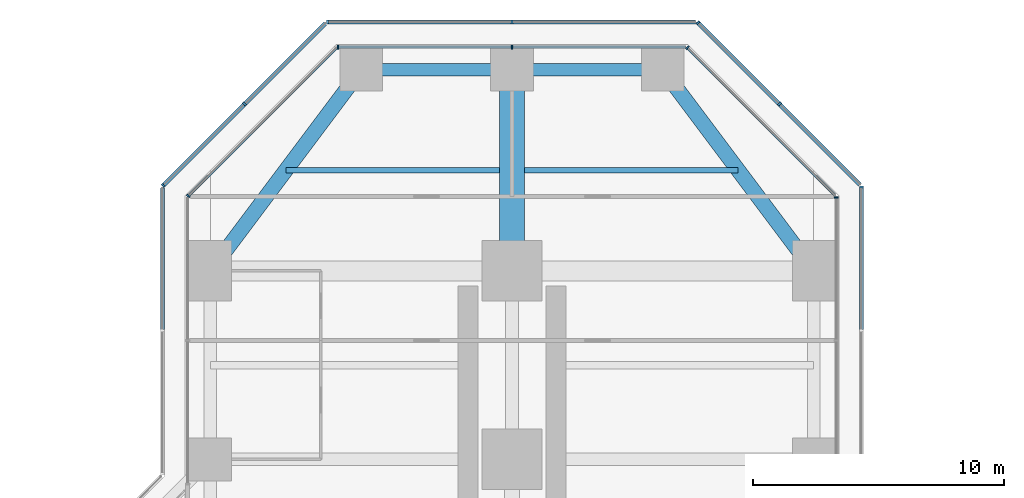
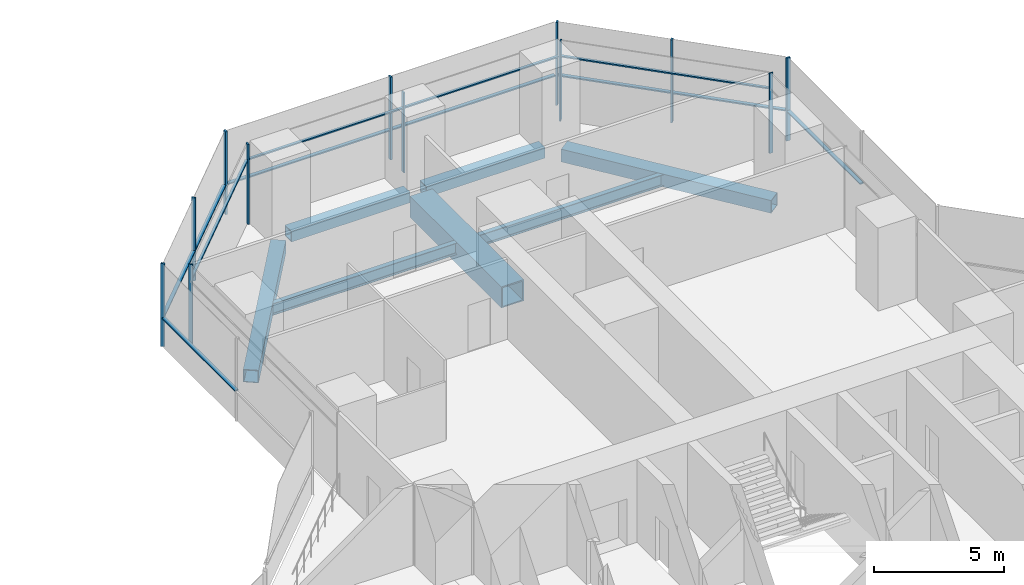
# One storey, part 13 of 22: 24 members, 7 beams, 9 elements without a shape of their own.
"""IFC4 building model written with IfcOpenShell, lengths in metres."""

from ifc_helpers import new_model, si_unit, direction, frame, origin, origin_2d, place, context, subcontext, project, spatial, rectangle, hollow_rectangle, i_section, extrude, material, material_profile, profile_set, type_object, element, aggregate, save


model = new_model("IFC4")

# Units and contexts
model_context = context("Model", 3, precision=1e-05, world=origin(), true_north=direction((0.0, 1.0)))
body_context = subcontext(model_context, "Body", "Model", "MODEL_VIEW")
ifc_project = project(units=[si_unit("LENGTHUNIT", "METRE"), si_unit("AREAUNIT", "SQUARE_METRE"), si_unit("VOLUMEUNIT", "CUBIC_METRE"), si_unit("PLANEANGLEUNIT", "RADIAN"), si_unit("MASSUNIT", "GRAM", prefix="KILO")], contexts=[model_context])

# Site, building, storey
site_placement = place(None, origin())
site = spatial("IfcSite", under=ifc_project, at=site_placement, CompositionType="ELEMENT")
building_placement = place(site_placement, origin())
building = spatial("IfcBuilding", under=site, at=building_placement, Name="Mizan Broadcast Tower", CompositionType="ELEMENT")
storey_placement = place(building_placement, frame((0.0, 0.0, 109.800048828125)))
storey = spatial("IfcBuildingStorey", under=building, at=storey_placement, Name="L24", CompositionType="ELEMENT", Elevation=109.800048828125)

# Beams
ifc_material_1 = material(Name="Steel S355", Category="steel")
ifc_material_profile_1 = material_profile(ifc_material_1, hollow_rectangle(XDim=0.5, YDim=0.5, WallThickness=0.030029296875, at=origin_2d()), Name="BOX 500x500x30")
ifc_profile_set_1 = profile_set([ifc_material_profile_1], Name="Steel S355")
beam_type_1 = type_object("IfcBeamType", Name="EDGE BEAM BOX 500x500x30", PredefinedType="SPANDREL", material=ifc_profile_set_1)
for number, where, z_axis, x_axis, name in (
    (1, (5.639892578125, 35.0, -0.380126953125), (-1.0, 0.0, 0.0), (0.0, -1.0, 0.0), "Edge beam BOX 500x500x30 L24 north arm"),
    (2, (-5.639892578125, 35.0, -0.380126953125), (1.0, 0.0, 0.0), (0.0, 1.0, 0.0), "Edge beam BOX 500x500x30 L24 north arm"),
):
    element("IfcBeam", number, at=place(storey_placement, frame(where, z_axis=z_axis, x_axis=x_axis)), inside=storey, type_object=beam_type_1, Name=name, PredefinedType="SPANDREL", context=body_context, shape_type="SweptSolid", body=[
        extrude(hollow_rectangle(XDim=0.5, YDim=0.5, WallThickness=0.030029296875, at=origin_2d()), origin(), (0.0, 0.0, 1.0), 5.27978515625),
    ])
ifc_material_2 = material(Name="Steel S355", Category="steel")
ifc_material_profile_2 = material_profile(ifc_material_2, hollow_rectangle(XDim=0.60009765625, YDim=0.60009765625, WallThickness=0.030029296875, at=origin_2d()), Name="BOX 600x600x30")
ifc_profile_set_2 = profile_set([ifc_material_profile_2], Name="Steel S355")
beam_type_2 = type_object("IfcBeamType", Name="EDGE BEAM BOX 600x600x30", PredefinedType="SPANDREL", material=ifc_profile_set_2)
for number, where, z_axis, x_axis, name in (
    (3, (11.639892578125, 27.47998046875, -0.429931640625), (-0.599982243973, 0.800013316712, 0.0), (-0.800013316712, -0.599982243973, 0.0), "Edge beam BOX 600x600x30 L24 north arm"),
    (4, (-11.639892578125, 27.47998046875, -0.429931640625), (0.599982243973, 0.800013316712, 0.0), (-0.800013316712, 0.599982243973, 0.0), "Edge beam BOX 600x600x30 L24 north arm"),
):
    element("IfcBeam", number, at=place(storey_placement, frame(where, z_axis=z_axis, x_axis=x_axis)), inside=storey, type_object=beam_type_2, Name=name, PredefinedType="SPANDREL", context=body_context, shape_type="SweptSolid", body=[
        extrude(hollow_rectangle(XDim=0.60009765625, YDim=0.60009765625, WallThickness=0.030029296875, at=origin_2d()), origin(), (0.0, 0.0, 1.0), 8.7998046875),
    ])
ifc_material_3 = material(Name="Steel S460", Category="steel")
ifc_material_profile_3 = material_profile(ifc_material_3, hollow_rectangle(XDim=1.0, YDim=1.0, WallThickness=0.06005859375, at=origin_2d()), Name="BOX 1000x1000x60")
ifc_profile_set_3 = profile_set([ifc_material_profile_3], Name="Steel S460")
beam_type_3 = type_object("IfcBeamType", Name="GIRDER BOX 1000x1000x60", PredefinedType="BEAM", material=ifc_profile_set_3)
beam_placement = place(storey_placement, frame((0.0, 27.47998046875, -0.630126953125), z_axis=(0.0, 1.0, 0.0), x_axis=(-1.0, 0.0, 0.0)))
element("IfcBeam", 5, at=beam_placement, inside=storey, type_object=beam_type_3, Name="Girder BOX 1000x1000x60 L24 north arm", PredefinedType="BEAM", context=body_context, shape_type="SweptSolid", body=[
    extrude(hollow_rectangle(XDim=1.0, YDim=1.0, WallThickness=0.06005859375, at=origin_2d()), origin(), (0.0, 0.0, 1.0), 7.0400390625),
])

# Curtain wall, member
ifc_material_4 = material(Name="Aluminium framed glazing", Category="aluminium")
curtain_wall_type_1 = type_object("IfcCurtainWallType", Name="INNER SKIN LOW ZONE", PredefinedType="USERDEFINED", material=ifc_material_4)
curtain_wall_1_placement = place(storey_placement, origin())
curtain_wall_1 = element("IfcCurtainWall", 6, at=curtain_wall_1_placement, inside=storey, type_object=curtain_wall_type_1, Name="Inner skin low zone L24 N side", ObjectType="INNER SKIN LOW ZONE", PredefinedType="USERDEFINED")
ifc_material_5 = material(Name="Aluminium, pale anodised", Category="aluminium")
ifc_material_profile_4 = material_profile(ifc_material_5, rectangle(XDim=0.159912109375, YDim=0.06005859375, at=origin_2d()), Name="MULLION 160x60")
ifc_profile_set_4 = profile_set([ifc_material_profile_4], Name="Aluminium, pale anodised")
member_type_1 = type_object("IfcMemberType", Name="INNER SKIN MULLION 60x160", PredefinedType="MULLION", material=ifc_profile_set_4)
member_1_placement = place(storey_placement, frame((12.89990234375, 29.928466796875, 0.0), z_axis=(0.0, 0.0, 1.0), x_axis=(-1.0, 0.0, 0.0)))
member_1 = element("IfcMember", 7, at=member_1_placement, type_object=member_type_1, Name="Inner skin low zone L24 N side mullion 3", PredefinedType="MULLION", context=body_context, shape_type="SweptSolid", body=[
    extrude(rectangle(XDim=0.159912109375, YDim=0.06005859375, at=origin_2d()), origin(), (0.0, 0.0, 1.0), 3.77001953125),
])
aggregate(curtain_wall_1, [member_1])

curtain_wall_2_placement = place(storey_placement, origin())
curtain_wall_2 = element("IfcCurtainWall", 8, at=curtain_wall_2_placement, inside=storey, type_object=curtain_wall_type_1, Name="Inner skin low zone L24 N chamfer", ObjectType="INNER SKIN LOW ZONE", PredefinedType="USERDEFINED")
member_2_placement = place(storey_placement, frame((6.979736328125, 35.87890625, 0.0), z_axis=(0.0, 0.0, 1.0), x_axis=(-0.707106781187, -0.707106781187, 0.0)))
member_2 = element("IfcMember", 9, at=member_2_placement, type_object=member_type_1, Name="Inner skin low zone L24 N chamfer mullion 2", PredefinedType="MULLION", context=body_context, shape_type="SweptSolid", body=[
    extrude(rectangle(XDim=0.159912109375, YDim=0.06005859375, at=origin_2d()), origin(), (0.0, 0.0, 1.0), 3.77001953125),
])

# Curtain wall, members
curtain_wall_3_placement = place(storey_placement, origin())
curtain_wall_3 = element("IfcCurtainWall", 10, at=curtain_wall_3_placement, inside=storey, type_object=curtain_wall_type_1, Name="Inner skin low zone L24 N end", ObjectType="INNER SKIN LOW ZONE", PredefinedType="USERDEFINED")
member_3_placement = place(storey_placement, frame((0.0, 35.89990234375, 0.0), z_axis=(0.0, 0.0, 1.0), x_axis=(0.0, -1.0, 0.0)))
member_3 = element("IfcMember", 11, at=member_3_placement, type_object=member_type_1, Name="Inner skin low zone L24 N end mullion 2", PredefinedType="MULLION", context=body_context, shape_type="SweptSolid", body=[
    extrude(rectangle(XDim=0.159912109375, YDim=0.06005859375, at=origin_2d()), origin(), (0.0, 0.0, 1.0), 3.77001953125),
])
member_4_placement = place(storey_placement, frame((-6.928466796875, 35.89990234375, 0.0), z_axis=(0.0, 0.0, 1.0), x_axis=(0.0, -1.0, 0.0)))
member_4 = element("IfcMember", 12, at=member_4_placement, type_object=member_type_1, Name="Inner skin low zone L24 N end mullion 3", PredefinedType="MULLION", context=body_context, shape_type="SweptSolid", body=[
    extrude(rectangle(XDim=0.159912109375, YDim=0.06005859375, at=origin_2d()), origin(), (0.0, 0.0, 1.0), 3.77001953125),
])

# Curtain wall, member
curtain_wall_4_placement = place(storey_placement, origin())
curtain_wall_4 = element("IfcCurtainWall", 13, at=curtain_wall_4_placement, inside=storey, type_object=curtain_wall_type_1, Name="Inner skin low zone L24 N chamfer", ObjectType="INNER SKIN LOW ZONE", PredefinedType="USERDEFINED")
member_5_placement = place(storey_placement, frame((-12.87890625, 29.979736328125, 0.0), z_axis=(0.0, 0.0, 1.0), x_axis=(0.707106781187, -0.707106781187, 0.0)))
member_5 = element("IfcMember", 14, at=member_5_placement, type_object=member_type_1, Name="Inner skin low zone L24 N chamfer mullion 2", PredefinedType="MULLION", context=body_context, shape_type="SweptSolid", body=[
    extrude(rectangle(XDim=0.159912109375, YDim=0.06005859375, at=origin_2d()), origin(), (0.0, 0.0, 1.0), 3.77001953125),
])

# Member
ifc_material_6 = material(Name="Aluminium, pale anodised", Category="aluminium")
ifc_material_profile_5 = material_profile(ifc_material_6, rectangle(XDim=0.1201171875, YDim=0.06005859375, at=origin_2d()), Name="TRANSOM 120x60")
ifc_profile_set_5 = profile_set([ifc_material_profile_5], Name="Aluminium, pale anodised")
member_type_2 = type_object("IfcMemberType", Name="INNER SKIN TRANSOM 60x120", PredefinedType="USERDEFINED", material=ifc_profile_set_5)
member_6_placement = place(storey_placement, frame((12.857666015625, 30.0009765625, 3.030029296875), z_axis=(-0.707106781187, 0.707106781187, 0.0), x_axis=(-0.707106781187, -0.707106781187, 0.0)))
member_6 = element("IfcMember", 15, at=member_6_placement, type_object=member_type_2, Name="Inner skin low zone L24 N chamfer transom 1.1", ObjectType="TRANSOM", PredefinedType="USERDEFINED", context=body_context, shape_type="SweptSolid", body=[
    extrude(rectangle(XDim=0.1201171875, YDim=0.06005859375, at=origin_2d()), origin(), (0.0, 0.0, 1.0), 8.28271484375),
])

aggregate(curtain_wall_2, [member_2, member_6])

member_7_placement = place(storey_placement, frame((6.898681640625, 35.89990234375, 3.030029296875), z_axis=(-1.0, 0.0, 0.0), x_axis=(0.0, -1.0, 0.0)))
member_7 = element("IfcMember", 16, at=member_7_placement, type_object=member_type_2, Name="Inner skin low zone L24 N end transom 1.1", ObjectType="TRANSOM", PredefinedType="USERDEFINED", context=body_context, shape_type="SweptSolid", body=[
    extrude(rectangle(XDim=0.1201171875, YDim=0.06005859375, at=origin_2d()), origin(), (0.0, 0.0, 1.0), 6.86865234375),
])

member_8_placement = place(storey_placement, frame((-0.030029296875, 35.89990234375, 3.030029296875), z_axis=(-1.0, 0.0, 0.0), x_axis=(0.0, -1.0, 0.0)))
member_8 = element("IfcMember", 17, at=member_8_placement, type_object=member_type_2, Name="Inner skin low zone L24 N end transom 2.1", ObjectType="TRANSOM", PredefinedType="USERDEFINED", context=body_context, shape_type="SweptSolid", body=[
    extrude(rectangle(XDim=0.1201171875, YDim=0.06005859375, at=origin_2d()), origin(), (0.0, 0.0, 1.0), 6.86865234375),
])

aggregate(curtain_wall_3, [member_3, member_4, member_7, member_8])

member_9_placement = place(storey_placement, frame((-7.0009765625, 35.857666015625, 3.030029296875), z_axis=(-0.707106781187, -0.707106781187, 0.0), x_axis=(0.707106781187, -0.707106781187, 0.0)))
member_9 = element("IfcMember", 18, at=member_9_placement, type_object=member_type_2, Name="Inner skin low zone L24 N chamfer transom 1.1", ObjectType="TRANSOM", PredefinedType="USERDEFINED", context=body_context, shape_type="SweptSolid", body=[
    extrude(rectangle(XDim=0.1201171875, YDim=0.06005859375, at=origin_2d()), origin(), (0.0, 0.0, 1.0), 8.28271484375),
])

aggregate(curtain_wall_4, [member_5, member_9])

# Curtain wall, member
ifc_material_7 = material(Name="Aluminium framed glazing", Category="aluminium")
curtain_wall_type_2 = type_object("IfcCurtainWallType", Name="OUTER SKIN", PredefinedType="USERDEFINED", material=ifc_material_7)
curtain_wall_5_placement = place(storey_placement, origin())
curtain_wall_5 = element("IfcCurtainWall", 19, at=curtain_wall_5_placement, inside=storey, type_object=curtain_wall_type_2, Name="Outer skin L24 N side", ObjectType="OUTER SKIN", PredefinedType="USERDEFINED")
ifc_material_8 = material(Name="Aluminium, pale anodised", Category="aluminium")
ifc_material_profile_6 = material_profile(ifc_material_8, rectangle(XDim=0.159912109375, YDim=0.080078125, at=origin_2d()), Name="MULLION 160x80")
ifc_profile_set_6 = profile_set([ifc_material_profile_6], Name="Aluminium, pale anodised")
member_type_3 = type_object("IfcMemberType", Name="OUTER SKIN MULLION 80x160", PredefinedType="MULLION", material=ifc_profile_set_6)
member_10_placement = place(storey_placement, frame((13.89990234375, 30.332763671875, 0.0), z_axis=(0.0, 0.0, 1.0), x_axis=(-1.0, 0.0, 0.0)))
member_10 = element("IfcMember", 20, at=member_10_placement, type_object=member_type_3, Name="Outer skin L24 N side mullion 3", PredefinedType="MULLION", context=body_context, shape_type="SweptSolid", body=[
    extrude(rectangle(XDim=0.159912109375, YDim=0.080078125, at=origin_2d()), origin(), (0.0, 0.0, 1.0), 3.89990234375),
])

# Curtain wall, members
curtain_wall_6_placement = place(storey_placement, origin())
curtain_wall_6 = element("IfcCurtainWall", 21, at=curtain_wall_6_placement, inside=storey, type_object=curtain_wall_type_2, Name="Outer skin L24 N chamfer", ObjectType="OUTER SKIN", PredefinedType="USERDEFINED")
member_11_placement = place(storey_placement, frame((10.636474609375, 33.636474609375, 0.0), z_axis=(0.0, 0.0, 1.0), x_axis=(-0.707106781187, -0.707106781187, 0.0)))
member_11 = element("IfcMember", 22, at=member_11_placement, type_object=member_type_3, Name="Outer skin L24 N chamfer mullion 2", PredefinedType="MULLION", context=body_context, shape_type="SweptSolid", body=[
    extrude(rectangle(XDim=0.159912109375, YDim=0.080078125, at=origin_2d()), origin(), (0.0, 0.0, 1.0), 3.89990234375),
])
member_12_placement = place(storey_placement, frame((7.401123046875, 36.871826171875, 0.0), z_axis=(0.0, 0.0, 1.0), x_axis=(-0.707106781187, -0.707106781187, 0.0)))
member_12 = element("IfcMember", 23, at=member_12_placement, type_object=member_type_3, Name="Outer skin L24 N chamfer mullion 3", PredefinedType="MULLION", context=body_context, shape_type="SweptSolid", body=[
    extrude(rectangle(XDim=0.159912109375, YDim=0.080078125, at=origin_2d()), origin(), (0.0, 0.0, 1.0), 3.89990234375),
])

curtain_wall_7_placement = place(storey_placement, origin())
curtain_wall_7 = element("IfcCurtainWall", 24, at=curtain_wall_7_placement, inside=storey, type_object=curtain_wall_type_2, Name="Outer skin L24 N end", ObjectType="OUTER SKIN", PredefinedType="USERDEFINED")
member_13_placement = place(storey_placement, frame((0.0, 36.89990234375, 0.0), z_axis=(0.0, 0.0, 1.0), x_axis=(0.0, -1.0, 0.0)))
member_13 = element("IfcMember", 25, at=member_13_placement, type_object=member_type_3, Name="Outer skin L24 N end mullion 2", PredefinedType="MULLION", context=body_context, shape_type="SweptSolid", body=[
    extrude(rectangle(XDim=0.159912109375, YDim=0.080078125, at=origin_2d()), origin(), (0.0, 0.0, 1.0), 3.89990234375),
])
member_14_placement = place(storey_placement, frame((-7.332763671875, 36.89990234375, 0.0), z_axis=(0.0, 0.0, 1.0), x_axis=(0.0, -1.0, 0.0)))
member_14 = element("IfcMember", 26, at=member_14_placement, type_object=member_type_3, Name="Outer skin L24 N end mullion 3", PredefinedType="MULLION", context=body_context, shape_type="SweptSolid", body=[
    extrude(rectangle(XDim=0.159912109375, YDim=0.080078125, at=origin_2d()), origin(), (0.0, 0.0, 1.0), 3.89990234375),
])

curtain_wall_8_placement = place(storey_placement, origin())
curtain_wall_8 = element("IfcCurtainWall", 27, at=curtain_wall_8_placement, inside=storey, type_object=curtain_wall_type_2, Name="Outer skin L24 N chamfer", ObjectType="OUTER SKIN", PredefinedType="USERDEFINED")
member_15_placement = place(storey_placement, frame((-10.636474609375, 33.636474609375, 0.0), z_axis=(0.0, 0.0, 1.0), x_axis=(0.707106781187, -0.707106781187, 0.0)))
member_15 = element("IfcMember", 28, at=member_15_placement, type_object=member_type_3, Name="Outer skin L24 N chamfer mullion 2", PredefinedType="MULLION", context=body_context, shape_type="SweptSolid", body=[
    extrude(rectangle(XDim=0.159912109375, YDim=0.080078125, at=origin_2d()), origin(), (0.0, 0.0, 1.0), 3.89990234375),
])
member_16_placement = place(storey_placement, frame((-13.871826171875, 30.401123046875, 0.0), z_axis=(0.0, 0.0, 1.0), x_axis=(0.707106781187, -0.707106781187, 0.0)))
member_16 = element("IfcMember", 29, at=member_16_placement, type_object=member_type_3, Name="Outer skin L24 N chamfer mullion 3", PredefinedType="MULLION", context=body_context, shape_type="SweptSolid", body=[
    extrude(rectangle(XDim=0.159912109375, YDim=0.080078125, at=origin_2d()), origin(), (0.0, 0.0, 1.0), 3.89990234375),
])

# Member
ifc_material_9 = material(Name="Aluminium, pale anodised", Category="aluminium")
ifc_material_profile_7 = material_profile(ifc_material_9, rectangle(XDim=0.159912109375, YDim=0.06005859375, at=origin_2d()), Name="TRANSOM 160x60")
ifc_profile_set_7 = profile_set([ifc_material_profile_7], Name="Aluminium, pale anodised")
member_type_4 = type_object("IfcMemberType", Name="OUTER SKIN TRANSOM 60x160", PredefinedType="USERDEFINED", material=ifc_profile_set_7)
member_17_placement = place(storey_placement, frame((13.89990234375, 24.662841796875, 1.39990234375), z_axis=(0.0, 1.0, 0.0), x_axis=(-1.0, 0.0, 0.0)))
member_17 = element("IfcMember", 30, at=member_17_placement, type_object=member_type_4, Name="Outer skin L24 N side transom 2.1", ObjectType="TRANSOM", PredefinedType="USERDEFINED", context=body_context, shape_type="SweptSolid", body=[
    extrude(rectangle(XDim=0.159912109375, YDim=0.06005859375, at=origin_2d()), origin(), (0.0, 0.0, 1.0), 5.6298828125),
])

aggregate(curtain_wall_5, [member_10, member_17])

member_18_placement = place(storey_placement, frame((13.843505859375, 30.429443359375, 1.39990234375), z_axis=(-0.707106781187, 0.707106781187, 0.0), x_axis=(-0.707106781187, -0.707106781187, 0.0)))
member_18 = element("IfcMember", 31, at=member_18_placement, type_object=member_type_4, Name="Outer skin L24 N chamfer transom 1.1", ObjectType="TRANSOM", PredefinedType="USERDEFINED", context=body_context, shape_type="SweptSolid", body=[
    extrude(rectangle(XDim=0.159912109375, YDim=0.06005859375, at=origin_2d()), origin(), (0.0, 0.0, 1.0), 4.495361328125),
])

member_19_placement = place(storey_placement, frame((10.608154296875, 33.664794921875, 1.39990234375), z_axis=(-0.707106781187, 0.707106781187, 0.0), x_axis=(-0.707106781187, -0.707106781187, 0.0)))
member_19 = element("IfcMember", 32, at=member_19_placement, type_object=member_type_4, Name="Outer skin L24 N chamfer transom 2.1", ObjectType="TRANSOM", PredefinedType="USERDEFINED", context=body_context, shape_type="SweptSolid", body=[
    extrude(rectangle(XDim=0.159912109375, YDim=0.06005859375, at=origin_2d()), origin(), (0.0, 0.0, 1.0), 4.495361328125),
])

aggregate(curtain_wall_6, [member_11, member_12, member_18, member_19])

member_20_placement = place(storey_placement, frame((7.292724609375, 36.89990234375, 1.39990234375), z_axis=(-1.0, 0.0, 0.0), x_axis=(0.0, -1.0, 0.0)))
member_20 = element("IfcMember", 33, at=member_20_placement, type_object=member_type_4, Name="Outer skin L24 N end transom 1.1", ObjectType="TRANSOM", PredefinedType="USERDEFINED", context=body_context, shape_type="SweptSolid", body=[
    extrude(rectangle(XDim=0.159912109375, YDim=0.06005859375, at=origin_2d()), origin(), (0.0, 0.0, 1.0), 7.252685546875),
])

member_21_placement = place(storey_placement, frame((-0.0400390625, 36.89990234375, 1.39990234375), z_axis=(-1.0, 0.0, 0.0), x_axis=(0.0, -1.0, 0.0)))
member_21 = element("IfcMember", 34, at=member_21_placement, type_object=member_type_4, Name="Outer skin L24 N end transom 2.1", ObjectType="TRANSOM", PredefinedType="USERDEFINED", context=body_context, shape_type="SweptSolid", body=[
    extrude(rectangle(XDim=0.159912109375, YDim=0.06005859375, at=origin_2d()), origin(), (0.0, 0.0, 1.0), 7.252685546875),
])

aggregate(curtain_wall_7, [member_13, member_14, member_20, member_21])

member_22_placement = place(storey_placement, frame((-7.429443359375, 36.843505859375, 1.39990234375), z_axis=(-0.707106781187, -0.707106781187, 0.0), x_axis=(0.707106781187, -0.707106781187, 0.0)))
member_22 = element("IfcMember", 35, at=member_22_placement, type_object=member_type_4, Name="Outer skin L24 N chamfer transom 1.1", ObjectType="TRANSOM", PredefinedType="USERDEFINED", context=body_context, shape_type="SweptSolid", body=[
    extrude(rectangle(XDim=0.159912109375, YDim=0.06005859375, at=origin_2d()), origin(), (0.0, 0.0, 1.0), 4.495361328125),
])

member_23_placement = place(storey_placement, frame((-10.664794921875, 33.608154296875, 1.39990234375), z_axis=(-0.707106781187, -0.707106781187, 0.0), x_axis=(0.707106781187, -0.707106781187, 0.0)))
member_23 = element("IfcMember", 36, at=member_23_placement, type_object=member_type_4, Name="Outer skin L24 N chamfer transom 2.1", ObjectType="TRANSOM", PredefinedType="USERDEFINED", context=body_context, shape_type="SweptSolid", body=[
    extrude(rectangle(XDim=0.159912109375, YDim=0.06005859375, at=origin_2d()), origin(), (0.0, 0.0, 1.0), 4.495361328125),
])

aggregate(curtain_wall_8, [member_15, member_16, member_22, member_23])

# Curtain wall, member
curtain_wall_9_placement = place(storey_placement, origin())
curtain_wall_9 = element("IfcCurtainWall", 37, at=curtain_wall_9_placement, inside=storey, type_object=curtain_wall_type_2, Name="Outer skin L24 N side", ObjectType="OUTER SKIN", PredefinedType="USERDEFINED")
member_24_placement = place(storey_placement, frame((-13.89990234375, 30.292724609375, 1.39990234375), z_axis=(0.0, -1.0, 0.0), x_axis=(1.0, 0.0, 0.0)))
member_24 = element("IfcMember", 38, at=member_24_placement, type_object=member_type_4, Name="Outer skin L24 N side transom 1.1", ObjectType="TRANSOM", PredefinedType="USERDEFINED", context=body_context, shape_type="SweptSolid", body=[
    extrude(rectangle(XDim=0.159912109375, YDim=0.06005859375, at=origin_2d()), origin(), (0.0, 0.0, 1.0), 5.6298828125),
])
aggregate(curtain_wall_9, [member_24])

# Beams
ifc_material_10 = material(Name="Steel S355", Category="steel")
ifc_material_profile_8 = material_profile(ifc_material_10, i_section(OverallWidth=0.2099609375, OverallDepth=0.550048828125, WebThickness=0.010986328125, FlangeThickness=0.01708984375, FilletRadius=0.02392578125, at=origin_2d()), Name="IPE 550")
ifc_profile_set_8 = profile_set([ifc_material_profile_8], Name="Steel S355")
beam_type_4 = type_object("IfcBeamType", Name="SECONDARY BEAM IPE 550", PredefinedType="JOIST", material=ifc_profile_set_8)
for number, where, z_axis, x_axis, name in (
    (39, (9.0, 31.0, -0.405029296875), (-1.0, 0.0, 0.0), (0.0, -1.0, 0.0), "Secondary beam IPE 550 L24 north arm"),
    (40, (-9.0, 31.0, -0.405029296875), (1.0, 0.0, 0.0), (0.0, 1.0, 0.0), "Secondary beam IPE 550 L24 north arm"),
):
    element("IfcBeam", number, at=place(storey_placement, frame(where, z_axis=z_axis, x_axis=x_axis)), inside=storey, type_object=beam_type_4, Name=name, PredefinedType="JOIST", context=body_context, shape_type="SweptSolid", body=[
        extrude(i_section(OverallWidth=0.2099609375, OverallDepth=0.550048828125, WebThickness=0.010986328125, FlangeThickness=0.01708984375, FilletRadius=0.02392578125, at=origin_2d()), origin(), (0.0, 0.0, 1.0), 8.5),
    ])

save(model, "model.ifc")
